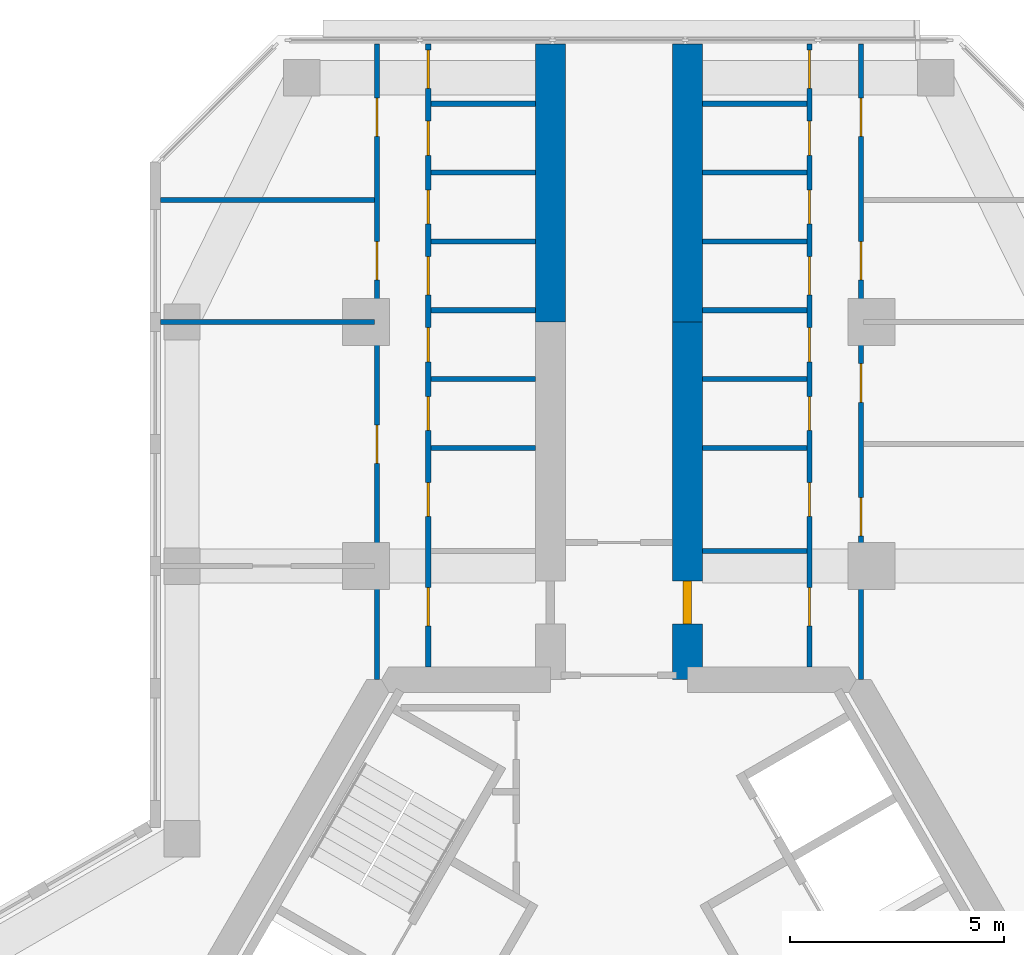
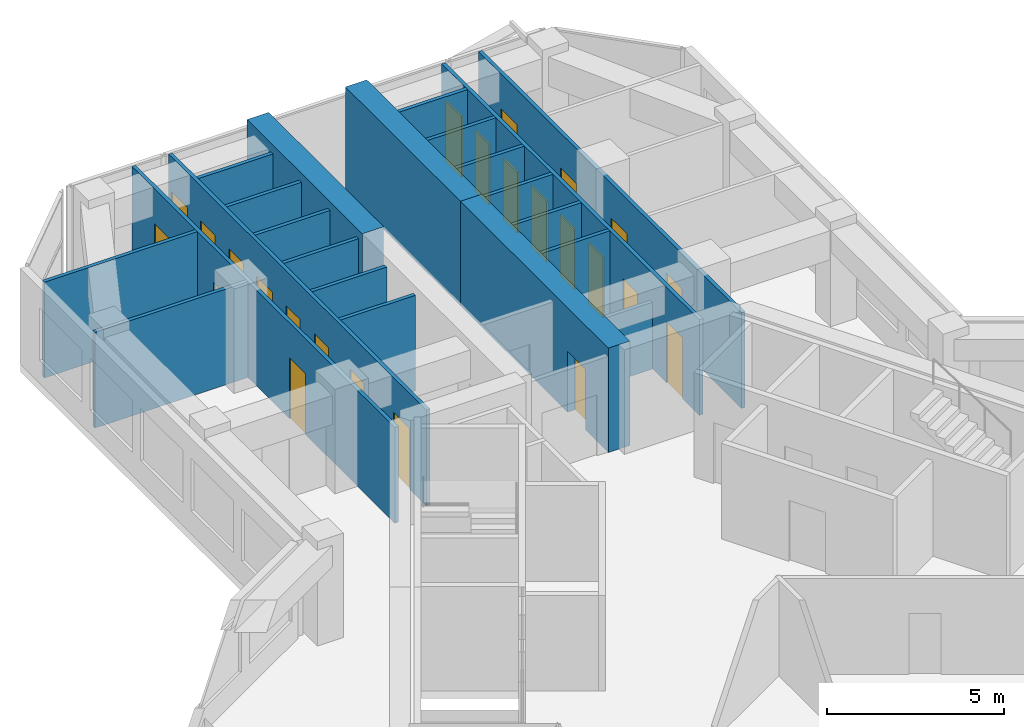
# One storey, part 14 of 16: 24 doors, 22 walls, 24 openings.
"""IFC4 building model written with IfcOpenShell, lengths in metres."""

from ifc_helpers import new_model, si_unit, direction, frame, frame_2d, origin, place, context, subcontext, project, spatial, rectangle, extrude, material, layer, layer_set, type_object, element, fill, save


model = new_model("IFC4")

# Units and contexts
model_context = context("Model", 3, precision=1e-05, world=origin(), true_north=direction((0.0, 1.0)))
body_context = subcontext(model_context, "Body", "Model", "MODEL_VIEW")
ifc_project = project(units=[si_unit("LENGTHUNIT", "METRE"), si_unit("AREAUNIT", "SQUARE_METRE"), si_unit("VOLUMEUNIT", "CUBIC_METRE"), si_unit("PLANEANGLEUNIT", "RADIAN"), si_unit("MASSUNIT", "GRAM", prefix="KILO")], contexts=[model_context])

# Site, building, storey
site_placement = place(None, origin())
site = spatial("IfcSite", under=ifc_project, at=site_placement, CompositionType="ELEMENT")
building_placement = place(site_placement, origin())
building = spatial("IfcBuilding", under=site, at=building_placement, Name="Kosmar Iwan School Tower", CompositionType="ELEMENT")
storey_placement = place(building_placement, frame((0.0, 0.0, 256.800048828125)))
storey = spatial("IfcBuildingStorey", under=building, at=storey_placement, Name="L65", CompositionType="ELEMENT", Elevation=256.800048828125)

# Wall
ifc_material_1 = material(Name="Concrete C50/60", Category="concrete")
ifc_layer_1 = layer(ifc_material_1, 0.699951171875)
ifc_layer_set_1 = layer_set([ifc_layer_1], Name="Corridor buttress wall 700")
wall_type_1 = type_object("IfcWallType", Name="Corridor buttress wall 700", PredefinedType="SHEAR", material=ifc_layer_set_1)
wall_1_placement = place(storey_placement, frame((-1.60009765625, 17.949951171875, 0.0), z_axis=(0.0, 0.0, 1.0), x_axis=(0.0, 1.0, 0.0)))
element("IfcWall", 1, at=wall_1_placement, inside=storey, type_object=wall_type_1, Name="Corridor wall AL bay 2", PredefinedType="SHEAR", context=body_context, shape_type="SweptSolid", body=[
    extrude(rectangle(XDim=6.4951171875, YDim=0.699951171875, at=frame_2d((3.24755859375, 0.0))), origin(), (0.0, 0.0, 1.0), 3.599853515625),
])

# Wall, opening, door
wall_2_placement = place(storey_placement, frame((1.60009765625, 9.60009765625, 0.0), z_axis=(0.0, 0.0, 1.0), x_axis=(0.0, 1.0, 0.0)))
wall_2 = element("IfcWall", 2, at=wall_2_placement, inside=storey, type_object=wall_type_1, Name="Corridor wall AR", PredefinedType="SHEAR", context=body_context, shape_type="SweptSolid", body=[
    extrude(rectangle(XDim=8.349853515625, YDim=0.699951171875, at=frame_2d((4.1748046875, 0.0))), origin(), (0.0, 0.0, 1.0), 3.599853515625),
])
opening_1_placement = place(wall_2_placement, frame((1.300048828125, 0.0, 0.0)))
opening_1 = element("IfcOpeningElement", 3, at=opening_1_placement, cuts=wall_2, Name="Opening D1", PredefinedType="OPENING", context=body_context, shape_type="SweptSolid", body=[
    extrude(rectangle(XDim=1.0, YDim=2.10009765625, at=frame_2d((0.5, 1.050048828125))), frame((0.0, 0.362060546875, 0.0), z_axis=(0.0, -1.0, 0.0), x_axis=(1.0, 0.0, 0.0)), (0.0, 0.0, 1.0), 0.723876953125),
])
ifc_material_2 = material(Name="Timber fire door in steel frame", Category="steel")
door_type_1 = type_object("IfcDoorType", Name="Flat entrance door 1000x2100", OperationType="SINGLE_SWING_LEFT", PredefinedType="DOOR", material=ifc_material_2)
door_1_placement = place(opening_1_placement, origin())
door_1 = element("IfcDoor", 4, at=door_1_placement, inside=storey, type_object=door_type_1, Name="Flat L65-AR1 entrance door", OperationType="SINGLE_SWING_RIGHT", OverallHeight=2.10009765625, OverallWidth=1.0, PredefinedType="DOOR", context=body_context, shape_type="SweptSolid", body=[
    extrude(rectangle(XDim=1.0, YDim=2.10009765625, at=frame_2d((0.5, 1.050048828125))), frame((0.0, 0.10009765625, 0.0), z_axis=(0.0, -1.0, 0.0), x_axis=(1.0, 0.0, 0.0)), (0.0, 0.0, 1.0), 0.199951171875),
])
fill(opening_1, door_1)

# Wall
wall_3_placement = place(storey_placement, frame((1.60009765625, 17.949951171875, 0.0), z_axis=(0.0, 0.0, 1.0), x_axis=(0.0, 1.0, 0.0)))
element("IfcWall", 5, at=wall_3_placement, inside=storey, type_object=wall_type_1, Name="Corridor wall AR bay 2", PredefinedType="SHEAR", context=body_context, shape_type="SweptSolid", body=[
    extrude(rectangle(XDim=6.4951171875, YDim=0.699951171875, at=frame_2d((3.24755859375, 0.0))), origin(), (0.0, 0.0, 1.0), 3.599853515625),
])

# Wall, openings, doors
ifc_material_3 = material(Name="Gypsum board on steel studs", Category="steel")
ifc_layer_2 = layer(ifc_material_3, 0.1201171875)
ifc_layer_set_2 = layer_set([ifc_layer_2], Name="Dwelling partition 120")
wall_type_2 = type_object("IfcWallType", Name="Dwelling partition 120", PredefinedType="PARTITIONING", material=ifc_layer_set_2)
wall_4_placement = place(storey_placement, frame((-4.449951171875, 9.89990234375, 0.0), z_axis=(0.0, 0.0, 1.0), x_axis=(0.0, 1.0, 0.0)))
wall_4 = element("IfcWall", 6, at=wall_4_placement, inside=storey, type_object=wall_type_2, Name="Partition L65-AL1-W1", PredefinedType="PARTITIONING", context=body_context, shape_type="SweptSolid", body=[
    extrude(rectangle(XDim=14.545166015625, YDim=0.1201171875, at=frame_2d((7.2724609375, 0.0))), origin(), (0.0, 0.0, 1.0), 3.300048828125),
])
opening_2_placement = place(wall_4_placement, frame((0.949951171875, 0.0, 0.0)))
opening_2 = element("IfcOpeningElement", 7, at=opening_2_placement, cuts=wall_4, Name="Opening D2", PredefinedType="OPENING", context=body_context, shape_type="SweptSolid", body=[
    extrude(rectangle(XDim=0.89990234375, YDim=2.10009765625, at=frame_2d((0.449951171875, 1.050048828125))), frame((0.0, 0.072021484375, 0.0), z_axis=(0.0, -1.0, 0.0), x_axis=(1.0, 0.0, 0.0)), (0.0, 0.0, 1.0), 0.14404296875),
])
opening_3_placement = place(wall_4_placement, frame((3.505126953125, 0.0, 0.0)))
opening_3 = element("IfcOpeningElement", 8, at=opening_3_placement, cuts=wall_4, Name="Opening D3", PredefinedType="OPENING", context=body_context, shape_type="SweptSolid", body=[
    extrude(rectangle(XDim=0.800048828125, YDim=2.10009765625, at=frame_2d((0.39990234375, 1.050048828125))), frame((0.0, 0.072021484375, 0.0), z_axis=(0.0, -1.0, 0.0), x_axis=(1.0, 0.0, 0.0)), (0.0, 0.0, 1.0), 0.14404296875),
])
opening_4_placement = place(wall_4_placement, frame((5.513427734375, 0.0, 0.0)))
opening_4 = element("IfcOpeningElement", 9, at=opening_4_placement, cuts=wall_4, Name="Opening D3", PredefinedType="OPENING", context=body_context, shape_type="SweptSolid", body=[
    extrude(rectangle(XDim=0.800048828125, YDim=2.10009765625, at=frame_2d((0.39990234375, 1.050048828125))), frame((0.0, 0.072021484375, 0.0), z_axis=(0.0, -1.0, 0.0), x_axis=(1.0, 0.0, 0.0)), (0.0, 0.0, 1.0), 0.14404296875),
])
opening_5_placement = place(wall_4_placement, frame((7.1201171875, 0.0, 0.0)))
opening_5 = element("IfcOpeningElement", 10, at=opening_5_placement, cuts=wall_4, Name="Opening D3", PredefinedType="OPENING", context=body_context, shape_type="SweptSolid", body=[
    extrude(rectangle(XDim=0.800048828125, YDim=2.10009765625, at=frame_2d((0.39990234375, 1.050048828125))), frame((0.0, 0.072021484375, 0.0), z_axis=(0.0, -1.0, 0.0), x_axis=(1.0, 0.0, 0.0)), (0.0, 0.0, 1.0), 0.14404296875),
])
opening_6_placement = place(wall_4_placement, frame((8.6767578125, 0.0, 0.0)))
opening_6 = element("IfcOpeningElement", 11, at=opening_6_placement, cuts=wall_4, Name="Opening D2", PredefinedType="OPENING", context=body_context, shape_type="SweptSolid", body=[
    extrude(rectangle(XDim=0.89990234375, YDim=2.10009765625, at=frame_2d((0.449951171875, 1.050048828125))), frame((0.0, 0.072021484375, 0.0), z_axis=(0.0, -1.0, 0.0), x_axis=(1.0, 0.0, 0.0)), (0.0, 0.0, 1.0), 0.14404296875),
])
opening_7_placement = place(wall_4_placement, frame((10.333251953125, 0.0, 0.0)))
opening_7 = element("IfcOpeningElement", 12, at=opening_7_placement, cuts=wall_4, Name="Opening D3", PredefinedType="OPENING", context=body_context, shape_type="SweptSolid", body=[
    extrude(rectangle(XDim=0.800048828125, YDim=2.10009765625, at=frame_2d((0.39990234375, 1.050048828125))), frame((0.0, 0.072021484375, 0.0), z_axis=(0.0, -1.0, 0.0), x_axis=(1.0, 0.0, 0.0)), (0.0, 0.0, 1.0), 0.14404296875),
])
opening_8_placement = place(wall_4_placement, frame((11.93994140625, 0.0, 0.0)))
opening_8 = element("IfcOpeningElement", 13, at=opening_8_placement, cuts=wall_4, Name="Opening D3", PredefinedType="OPENING", context=body_context, shape_type="SweptSolid", body=[
    extrude(rectangle(XDim=0.800048828125, YDim=2.10009765625, at=frame_2d((0.39990234375, 1.050048828125))), frame((0.0, 0.072021484375, 0.0), z_axis=(0.0, -1.0, 0.0), x_axis=(1.0, 0.0, 0.0)), (0.0, 0.0, 1.0), 0.14404296875),
])
opening_9_placement = place(wall_4_placement, frame((13.49658203125, 0.0, 0.0)))
opening_9 = element("IfcOpeningElement", 14, at=opening_9_placement, cuts=wall_4, Name="Opening D2", PredefinedType="OPENING", context=body_context, shape_type="SweptSolid", body=[
    extrude(rectangle(XDim=0.89990234375, YDim=2.10009765625, at=frame_2d((0.449951171875, 1.050048828125))), frame((0.0, 0.072021484375, 0.0), z_axis=(0.0, -1.0, 0.0), x_axis=(1.0, 0.0, 0.0)), (0.0, 0.0, 1.0), 0.14404296875),
])
ifc_material_4 = material(Name="Timber door in timber frame", Category="wood")
door_type_2 = type_object("IfcDoorType", Name="Internal door 900x2100", OperationType="SINGLE_SWING_LEFT", PredefinedType="DOOR", material=ifc_material_4)
door_2_placement = place(opening_2_placement, origin())
door_2 = element("IfcDoor", 15, at=door_2_placement, inside=storey, type_object=door_type_2, Name="Entrance hall door L65-AL1-S1", OperationType="SINGLE_SWING_LEFT", OverallHeight=2.10009765625, OverallWidth=0.89990234375, PredefinedType="DOOR", context=body_context, shape_type="SweptSolid", body=[
    extrude(rectangle(XDim=0.89990234375, YDim=2.10009765625, at=frame_2d((0.449951171875, 1.050048828125))), frame((0.0, 0.02490234375, 0.0), z_axis=(0.0, -1.0, 0.0), x_axis=(1.0, 0.0, 0.0)), (0.0, 0.0, 1.0), 0.050048828125),
])
fill(opening_2, door_2)
door_3_placement = place(opening_6_placement, origin())
door_3 = element("IfcDoor", 16, at=door_3_placement, inside=storey, type_object=door_type_2, Name="Pantry door L65-AL1-S5", OperationType="SINGLE_SWING_RIGHT", OverallHeight=2.10009765625, OverallWidth=0.89990234375, PredefinedType="DOOR", context=body_context, shape_type="SweptSolid", body=[
    extrude(rectangle(XDim=0.89990234375, YDim=2.10009765625, at=frame_2d((0.449951171875, 1.050048828125))), frame((0.0, 0.02490234375, 0.0), z_axis=(0.0, -1.0, 0.0), x_axis=(1.0, 0.0, 0.0)), (0.0, 0.0, 1.0), 0.050048828125),
])
fill(opening_6, door_3)
door_4_placement = place(opening_9_placement, origin())
door_4 = element("IfcDoor", 17, at=door_4_placement, inside=storey, type_object=door_type_2, Name="Utility room door L65-AL1-S8", OperationType="SINGLE_SWING_RIGHT", OverallHeight=2.10009765625, OverallWidth=0.89990234375, PredefinedType="DOOR", context=body_context, shape_type="SweptSolid", body=[
    extrude(rectangle(XDim=0.89990234375, YDim=2.10009765625, at=frame_2d((0.449951171875, 1.050048828125))), frame((0.0, 0.02490234375, 0.0), z_axis=(0.0, -1.0, 0.0), x_axis=(1.0, 0.0, 0.0)), (0.0, 0.0, 1.0), 0.050048828125),
])
fill(opening_9, door_4)
ifc_material_5 = material(Name="Timber door in timber frame", Category="wood")
door_type_3 = type_object("IfcDoorType", Name="Sanitary room door 800x2100", OperationType="SINGLE_SWING_LEFT", PredefinedType="DOOR", material=ifc_material_5)
door_5_placement = place(opening_3_placement, origin())
door_5 = element("IfcDoor", 18, at=door_5_placement, inside=storey, type_object=door_type_3, Name="Bathroom door L65-AL1-S2", OperationType="SINGLE_SWING_LEFT", OverallHeight=2.10009765625, OverallWidth=0.800048828125, PredefinedType="DOOR", context=body_context, shape_type="SweptSolid", body=[
    extrude(rectangle(XDim=0.800048828125, YDim=2.10009765625, at=frame_2d((0.39990234375, 1.050048828125))), frame((0.0, 0.02490234375, 0.0), z_axis=(0.0, -1.0, 0.0), x_axis=(1.0, 0.0, 0.0)), (0.0, 0.0, 1.0), 0.050048828125),
])
fill(opening_3, door_5)
door_6_placement = place(opening_4_placement, origin())
door_6 = element("IfcDoor", 19, at=door_6_placement, inside=storey, type_object=door_type_3, Name="Grandparents' shower room door L65-AL1-S3", OperationType="SINGLE_SWING_LEFT", OverallHeight=2.10009765625, OverallWidth=0.800048828125, PredefinedType="DOOR", context=body_context, shape_type="SweptSolid", body=[
    extrude(rectangle(XDim=0.800048828125, YDim=2.10009765625, at=frame_2d((0.39990234375, 1.050048828125))), frame((0.0, 0.02490234375, 0.0), z_axis=(0.0, -1.0, 0.0), x_axis=(1.0, 0.0, 0.0)), (0.0, 0.0, 1.0), 0.050048828125),
])
fill(opening_4, door_6)
door_7_placement = place(opening_5_placement, origin())
door_7 = element("IfcDoor", 20, at=door_7_placement, inside=storey, type_object=door_type_3, Name="Shower room door L65-AL1-S4", OperationType="SINGLE_SWING_RIGHT", OverallHeight=2.10009765625, OverallWidth=0.800048828125, PredefinedType="DOOR", context=body_context, shape_type="SweptSolid", body=[
    extrude(rectangle(XDim=0.800048828125, YDim=2.10009765625, at=frame_2d((0.39990234375, 1.050048828125))), frame((0.0, 0.02490234375, 0.0), z_axis=(0.0, -1.0, 0.0), x_axis=(1.0, 0.0, 0.0)), (0.0, 0.0, 1.0), 0.050048828125),
])
fill(opening_5, door_7)
door_8_placement = place(opening_7_placement, origin())
door_8 = element("IfcDoor", 21, at=door_8_placement, inside=storey, type_object=door_type_3, Name="WC door L65-AL1-S6", OperationType="SINGLE_SWING_RIGHT", OverallHeight=2.10009765625, OverallWidth=0.800048828125, PredefinedType="DOOR", context=body_context, shape_type="SweptSolid", body=[
    extrude(rectangle(XDim=0.800048828125, YDim=2.10009765625, at=frame_2d((0.39990234375, 1.050048828125))), frame((0.0, 0.02490234375, 0.0), z_axis=(0.0, -1.0, 0.0), x_axis=(1.0, 0.0, 0.0)), (0.0, 0.0, 1.0), 0.050048828125),
])
fill(opening_7, door_8)
door_9_placement = place(opening_8_placement, origin())
door_9 = element("IfcDoor", 22, at=door_9_placement, inside=storey, type_object=door_type_3, Name="Store door L65-AL1-S7", OperationType="SINGLE_SWING_RIGHT", OverallHeight=2.10009765625, OverallWidth=0.800048828125, PredefinedType="DOOR", context=body_context, shape_type="SweptSolid", body=[
    extrude(rectangle(XDim=0.800048828125, YDim=2.10009765625, at=frame_2d((0.39990234375, 1.050048828125))), frame((0.0, 0.02490234375, 0.0), z_axis=(0.0, -1.0, 0.0), x_axis=(1.0, 0.0, 0.0)), (0.0, 0.0, 1.0), 0.050048828125),
])
fill(opening_8, door_9)

wall_5_placement = place(storey_placement, frame((-5.64990234375, 9.60009765625, 0.0), z_axis=(0.0, 0.0, 1.0), x_axis=(0.0, 1.0, 0.0)))
wall_5 = element("IfcWall", 23, at=wall_5_placement, inside=storey, type_object=wall_type_2, Name="Partition L65-AL1-W2", PredefinedType="PARTITIONING", context=body_context, shape_type="SweptSolid", body=[
    extrude(rectangle(XDim=14.844970703125, YDim=0.1201171875, at=frame_2d((7.42236328125, 0.0))), origin(), (0.0, 0.0, 1.0), 3.300048828125),
])
opening_10_placement = place(wall_5_placement, frame((5.050048828125, 0.0, 0.0)))
opening_10 = element("IfcOpeningElement", 24, at=opening_10_placement, cuts=wall_5, Name="Opening D2", PredefinedType="OPENING", context=body_context, shape_type="SweptSolid", body=[
    extrude(rectangle(XDim=0.89990234375, YDim=2.10009765625, at=frame_2d((0.449951171875, 1.050048828125))), frame((0.0, 0.072021484375, 0.0), z_axis=(0.0, -1.0, 0.0), x_axis=(1.0, 0.0, 0.0)), (0.0, 0.0, 1.0), 0.14404296875),
])
opening_11_placement = place(wall_5_placement, frame((9.324951171875, 0.0, 0.0)))
opening_11 = element("IfcOpeningElement", 25, at=opening_11_placement, cuts=wall_5, Name="Opening D2", PredefinedType="OPENING", context=body_context, shape_type="SweptSolid", body=[
    extrude(rectangle(XDim=0.89990234375, YDim=2.10009765625, at=frame_2d((0.449951171875, 1.050048828125))), frame((0.0, 0.072021484375, 0.0), z_axis=(0.0, -1.0, 0.0), x_axis=(1.0, 0.0, 0.0)), (0.0, 0.0, 1.0), 0.14404296875),
])
opening_12_placement = place(wall_5_placement, frame((12.675048828125, 0.0, 0.0)))
opening_12 = element("IfcOpeningElement", 26, at=opening_12_placement, cuts=wall_5, Name="Opening D2", PredefinedType="OPENING", context=body_context, shape_type="SweptSolid", body=[
    extrude(rectangle(XDim=0.89990234375, YDim=2.10009765625, at=frame_2d((0.449951171875, 1.050048828125))), frame((0.0, 0.072021484375, 0.0), z_axis=(0.0, -1.0, 0.0), x_axis=(1.0, 0.0, 0.0)), (0.0, 0.0, 1.0), 0.14404296875),
])
door_10_placement = place(opening_10_placement, origin())
door_10 = element("IfcDoor", 27, at=door_10_placement, inside=storey, type_object=door_type_2, Name="Living room door L65-AL1-F2", OperationType="SINGLE_SWING_LEFT", OverallHeight=2.10009765625, OverallWidth=0.89990234375, PredefinedType="DOOR", context=body_context, shape_type="SweptSolid", body=[
    extrude(rectangle(XDim=0.89990234375, YDim=2.10009765625, at=frame_2d((0.449951171875, 1.050048828125))), frame((0.0, 0.02490234375, 0.0), z_axis=(0.0, -1.0, 0.0), x_axis=(1.0, 0.0, 0.0)), (0.0, 0.0, 1.0), 0.050048828125),
])
fill(opening_10, door_10)
door_11_placement = place(opening_11_placement, origin())
door_11 = element("IfcDoor", 28, at=door_11_placement, inside=storey, type_object=door_type_2, Name="Grandparents' suite door L65-AL1-F3", OperationType="SINGLE_SWING_RIGHT", OverallHeight=2.10009765625, OverallWidth=0.89990234375, PredefinedType="DOOR", context=body_context, shape_type="SweptSolid", body=[
    extrude(rectangle(XDim=0.89990234375, YDim=2.10009765625, at=frame_2d((0.449951171875, 1.050048828125))), frame((0.0, 0.02490234375, 0.0), z_axis=(0.0, -1.0, 0.0), x_axis=(1.0, 0.0, 0.0)), (0.0, 0.0, 1.0), 0.050048828125),
])
fill(opening_11, door_11)
door_12_placement = place(opening_12_placement, origin())
door_12 = element("IfcDoor", 29, at=door_12_placement, inside=storey, type_object=door_type_2, Name="Bedroom 1 door L65-AL1-F4", OperationType="SINGLE_SWING_RIGHT", OverallHeight=2.10009765625, OverallWidth=0.89990234375, PredefinedType="DOOR", context=body_context, shape_type="SweptSolid", body=[
    extrude(rectangle(XDim=0.89990234375, YDim=2.10009765625, at=frame_2d((0.449951171875, 1.050048828125))), frame((0.0, 0.02490234375, 0.0), z_axis=(0.0, -1.0, 0.0), x_axis=(1.0, 0.0, 0.0)), (0.0, 0.0, 1.0), 0.050048828125),
])
fill(opening_12, door_12)

# Walls
for number, where, z_axis, x_axis, name in (
    (30, (-5.7099609375, 17.949951171875, 0.0), (0.0, 0.0, 1.0), (-1.0, 0.0, 0.0), "Partition L65-AL1-X2"),
    (31, (-5.7099609375, 20.800048828125, 0.0), (0.0, 0.0, 1.0), (-1.0, 0.0, 0.0), "Partition L65-AL1-X3"),
):
    element("IfcWall", number, at=place(storey_placement, frame(where, z_axis=z_axis, x_axis=x_axis)), inside=storey, type_object=wall_type_2, Name=name, PredefinedType="PARTITIONING", context=body_context, shape_type="SweptSolid", body=[
        extrude(rectangle(XDim=4.989990234375, YDim=0.1201171875, at=frame_2d((2.4951171875, 0.0))), origin(), (0.0, 0.0, 1.0), 3.300048828125),
    ])
for number, where, z_axis, x_axis, name in (
    (32, (-1.949951171875, 15.010009765625, 0.0), (0.0, 0.0, 1.0), (-1.0, 0.0, 0.0), "Partition L65-AL1-Y2"),
    (33, (-1.949951171875, 16.61669921875, 0.0), (0.0, 0.0, 1.0), (-1.0, 0.0, 0.0), "Partition L65-AL1-Y3"),
    (34, (-1.949951171875, 18.223388671875, 0.0), (0.0, 0.0, 1.0), (-1.0, 0.0, 0.0), "Partition L65-AL1-Y4"),
    (35, (-1.949951171875, 19.830078125, 0.0), (0.0, 0.0, 1.0), (-1.0, 0.0, 0.0), "Partition L65-AL1-Y5"),
    (36, (-1.949951171875, 21.436767578125, 0.0), (0.0, 0.0, 1.0), (-1.0, 0.0, 0.0), "Partition L65-AL1-Y6"),
    (37, (-1.949951171875, 23.043212890625, 0.0), (0.0, 0.0, 1.0), (-1.0, 0.0, 0.0), "Partition L65-AL1-Y7"),
):
    element("IfcWall", number, at=place(storey_placement, frame(where, z_axis=z_axis, x_axis=x_axis)), inside=storey, type_object=wall_type_2, Name=name, PredefinedType="PARTITIONING", context=body_context, shape_type="SweptSolid", body=[
        extrude(rectangle(XDim=2.43994140625, YDim=0.1201171875, at=frame_2d((1.219970703125, 0.0))), origin(), (0.0, 0.0, 1.0), 3.300048828125),
    ])

# Wall, openings, doors
wall_6_placement = place(storey_placement, frame((4.449951171875, 9.89990234375, 0.0), z_axis=(0.0, 0.0, 1.0), x_axis=(0.0, 1.0, 0.0)))
wall_6 = element("IfcWall", 38, at=wall_6_placement, inside=storey, type_object=wall_type_2, Name="Partition L65-AR1-W1", PredefinedType="PARTITIONING", context=body_context, shape_type="SweptSolid", body=[
    extrude(rectangle(XDim=14.545166015625, YDim=0.1201171875, at=frame_2d((7.2724609375, 0.0))), origin(), (0.0, 0.0, 1.0), 3.300048828125),
])
opening_13_placement = place(wall_6_placement, frame((0.949951171875, 0.0, 0.0)))
opening_13 = element("IfcOpeningElement", 39, at=opening_13_placement, cuts=wall_6, Name="Opening D2", PredefinedType="OPENING", context=body_context, shape_type="SweptSolid", body=[
    extrude(rectangle(XDim=0.89990234375, YDim=2.10009765625, at=frame_2d((0.449951171875, 1.050048828125))), frame((0.0, 0.072021484375, 0.0), z_axis=(0.0, -1.0, 0.0), x_axis=(1.0, 0.0, 0.0)), (0.0, 0.0, 1.0), 0.14404296875),
])
opening_14_placement = place(wall_6_placement, frame((3.505126953125, 0.0, 0.0)))
opening_14 = element("IfcOpeningElement", 40, at=opening_14_placement, cuts=wall_6, Name="Opening D3", PredefinedType="OPENING", context=body_context, shape_type="SweptSolid", body=[
    extrude(rectangle(XDim=0.800048828125, YDim=2.10009765625, at=frame_2d((0.39990234375, 1.050048828125))), frame((0.0, 0.072021484375, 0.0), z_axis=(0.0, -1.0, 0.0), x_axis=(1.0, 0.0, 0.0)), (0.0, 0.0, 1.0), 0.14404296875),
])
opening_15_placement = place(wall_6_placement, frame((5.513427734375, 0.0, 0.0)))
opening_15 = element("IfcOpeningElement", 41, at=opening_15_placement, cuts=wall_6, Name="Opening D3", PredefinedType="OPENING", context=body_context, shape_type="SweptSolid", body=[
    extrude(rectangle(XDim=0.800048828125, YDim=2.10009765625, at=frame_2d((0.39990234375, 1.050048828125))), frame((0.0, 0.072021484375, 0.0), z_axis=(0.0, -1.0, 0.0), x_axis=(1.0, 0.0, 0.0)), (0.0, 0.0, 1.0), 0.14404296875),
])
opening_16_placement = place(wall_6_placement, frame((7.1201171875, 0.0, 0.0)))
opening_16 = element("IfcOpeningElement", 42, at=opening_16_placement, cuts=wall_6, Name="Opening D3", PredefinedType="OPENING", context=body_context, shape_type="SweptSolid", body=[
    extrude(rectangle(XDim=0.800048828125, YDim=2.10009765625, at=frame_2d((0.39990234375, 1.050048828125))), frame((0.0, 0.072021484375, 0.0), z_axis=(0.0, -1.0, 0.0), x_axis=(1.0, 0.0, 0.0)), (0.0, 0.0, 1.0), 0.14404296875),
])
opening_17_placement = place(wall_6_placement, frame((8.6767578125, 0.0, 0.0)))
opening_17 = element("IfcOpeningElement", 43, at=opening_17_placement, cuts=wall_6, Name="Opening D2", PredefinedType="OPENING", context=body_context, shape_type="SweptSolid", body=[
    extrude(rectangle(XDim=0.89990234375, YDim=2.10009765625, at=frame_2d((0.449951171875, 1.050048828125))), frame((0.0, 0.072021484375, 0.0), z_axis=(0.0, -1.0, 0.0), x_axis=(1.0, 0.0, 0.0)), (0.0, 0.0, 1.0), 0.14404296875),
])
opening_18_placement = place(wall_6_placement, frame((10.333251953125, 0.0, 0.0)))
opening_18 = element("IfcOpeningElement", 44, at=opening_18_placement, cuts=wall_6, Name="Opening D3", PredefinedType="OPENING", context=body_context, shape_type="SweptSolid", body=[
    extrude(rectangle(XDim=0.800048828125, YDim=2.10009765625, at=frame_2d((0.39990234375, 1.050048828125))), frame((0.0, 0.072021484375, 0.0), z_axis=(0.0, -1.0, 0.0), x_axis=(1.0, 0.0, 0.0)), (0.0, 0.0, 1.0), 0.14404296875),
])
opening_19_placement = place(wall_6_placement, frame((11.93994140625, 0.0, 0.0)))
opening_19 = element("IfcOpeningElement", 45, at=opening_19_placement, cuts=wall_6, Name="Opening D3", PredefinedType="OPENING", context=body_context, shape_type="SweptSolid", body=[
    extrude(rectangle(XDim=0.800048828125, YDim=2.10009765625, at=frame_2d((0.39990234375, 1.050048828125))), frame((0.0, 0.072021484375, 0.0), z_axis=(0.0, -1.0, 0.0), x_axis=(1.0, 0.0, 0.0)), (0.0, 0.0, 1.0), 0.14404296875),
])
opening_20_placement = place(wall_6_placement, frame((13.49658203125, 0.0, 0.0)))
opening_20 = element("IfcOpeningElement", 46, at=opening_20_placement, cuts=wall_6, Name="Opening D2", PredefinedType="OPENING", context=body_context, shape_type="SweptSolid", body=[
    extrude(rectangle(XDim=0.89990234375, YDim=2.10009765625, at=frame_2d((0.449951171875, 1.050048828125))), frame((0.0, 0.072021484375, 0.0), z_axis=(0.0, -1.0, 0.0), x_axis=(1.0, 0.0, 0.0)), (0.0, 0.0, 1.0), 0.14404296875),
])
door_13_placement = place(opening_13_placement, origin())
door_13 = element("IfcDoor", 47, at=door_13_placement, inside=storey, type_object=door_type_2, Name="Entrance hall door L65-AR1-S1", OperationType="SINGLE_SWING_RIGHT", OverallHeight=2.10009765625, OverallWidth=0.89990234375, PredefinedType="DOOR", context=body_context, shape_type="SweptSolid", body=[
    extrude(rectangle(XDim=0.89990234375, YDim=2.10009765625, at=frame_2d((0.449951171875, 1.050048828125))), frame((0.0, 0.02490234375, 0.0), z_axis=(0.0, -1.0, 0.0), x_axis=(1.0, 0.0, 0.0)), (0.0, 0.0, 1.0), 0.050048828125),
])
fill(opening_13, door_13)
door_14_placement = place(opening_17_placement, origin())
door_14 = element("IfcDoor", 48, at=door_14_placement, inside=storey, type_object=door_type_2, Name="Pantry door L65-AR1-S5", OperationType="SINGLE_SWING_RIGHT", OverallHeight=2.10009765625, OverallWidth=0.89990234375, PredefinedType="DOOR", context=body_context, shape_type="SweptSolid", body=[
    extrude(rectangle(XDim=0.89990234375, YDim=2.10009765625, at=frame_2d((0.449951171875, 1.050048828125))), frame((0.0, 0.02490234375, 0.0), z_axis=(0.0, -1.0, 0.0), x_axis=(1.0, 0.0, 0.0)), (0.0, 0.0, 1.0), 0.050048828125),
])
fill(opening_17, door_14)
door_15_placement = place(opening_20_placement, origin())
door_15 = element("IfcDoor", 49, at=door_15_placement, inside=storey, type_object=door_type_2, Name="Utility room door L65-AR1-S8", OperationType="SINGLE_SWING_RIGHT", OverallHeight=2.10009765625, OverallWidth=0.89990234375, PredefinedType="DOOR", context=body_context, shape_type="SweptSolid", body=[
    extrude(rectangle(XDim=0.89990234375, YDim=2.10009765625, at=frame_2d((0.449951171875, 1.050048828125))), frame((0.0, 0.02490234375, 0.0), z_axis=(0.0, -1.0, 0.0), x_axis=(1.0, 0.0, 0.0)), (0.0, 0.0, 1.0), 0.050048828125),
])
fill(opening_20, door_15)
door_16_placement = place(opening_14_placement, origin())
door_16 = element("IfcDoor", 50, at=door_16_placement, inside=storey, type_object=door_type_3, Name="Bathroom door L65-AR1-S2", OperationType="SINGLE_SWING_LEFT", OverallHeight=2.10009765625, OverallWidth=0.800048828125, PredefinedType="DOOR", context=body_context, shape_type="SweptSolid", body=[
    extrude(rectangle(XDim=0.800048828125, YDim=2.10009765625, at=frame_2d((0.39990234375, 1.050048828125))), frame((0.0, 0.02490234375, 0.0), z_axis=(0.0, -1.0, 0.0), x_axis=(1.0, 0.0, 0.0)), (0.0, 0.0, 1.0), 0.050048828125),
])
fill(opening_14, door_16)
door_17_placement = place(opening_15_placement, origin())
door_17 = element("IfcDoor", 51, at=door_17_placement, inside=storey, type_object=door_type_3, Name="Grandparents' shower room door L65-AR1-S3", OperationType="SINGLE_SWING_RIGHT", OverallHeight=2.10009765625, OverallWidth=0.800048828125, PredefinedType="DOOR", context=body_context, shape_type="SweptSolid", body=[
    extrude(rectangle(XDim=0.800048828125, YDim=2.10009765625, at=frame_2d((0.39990234375, 1.050048828125))), frame((0.0, 0.02490234375, 0.0), z_axis=(0.0, -1.0, 0.0), x_axis=(1.0, 0.0, 0.0)), (0.0, 0.0, 1.0), 0.050048828125),
])
fill(opening_15, door_17)
door_18_placement = place(opening_16_placement, origin())
door_18 = element("IfcDoor", 52, at=door_18_placement, inside=storey, type_object=door_type_3, Name="Shower room door L65-AR1-S4", OperationType="SINGLE_SWING_LEFT", OverallHeight=2.10009765625, OverallWidth=0.800048828125, PredefinedType="DOOR", context=body_context, shape_type="SweptSolid", body=[
    extrude(rectangle(XDim=0.800048828125, YDim=2.10009765625, at=frame_2d((0.39990234375, 1.050048828125))), frame((0.0, 0.02490234375, 0.0), z_axis=(0.0, -1.0, 0.0), x_axis=(1.0, 0.0, 0.0)), (0.0, 0.0, 1.0), 0.050048828125),
])
fill(opening_16, door_18)
door_19_placement = place(opening_18_placement, origin())
door_19 = element("IfcDoor", 53, at=door_19_placement, inside=storey, type_object=door_type_3, Name="WC door L65-AR1-S6", OperationType="SINGLE_SWING_LEFT", OverallHeight=2.10009765625, OverallWidth=0.800048828125, PredefinedType="DOOR", context=body_context, shape_type="SweptSolid", body=[
    extrude(rectangle(XDim=0.800048828125, YDim=2.10009765625, at=frame_2d((0.39990234375, 1.050048828125))), frame((0.0, 0.02490234375, 0.0), z_axis=(0.0, -1.0, 0.0), x_axis=(1.0, 0.0, 0.0)), (0.0, 0.0, 1.0), 0.050048828125),
])
fill(opening_18, door_19)
door_20_placement = place(opening_19_placement, origin())
door_20 = element("IfcDoor", 54, at=door_20_placement, inside=storey, type_object=door_type_3, Name="Store door L65-AR1-S7", OperationType="SINGLE_SWING_RIGHT", OverallHeight=2.10009765625, OverallWidth=0.800048828125, PredefinedType="DOOR", context=body_context, shape_type="SweptSolid", body=[
    extrude(rectangle(XDim=0.800048828125, YDim=2.10009765625, at=frame_2d((0.39990234375, 1.050048828125))), frame((0.0, 0.02490234375, 0.0), z_axis=(0.0, -1.0, 0.0), x_axis=(1.0, 0.0, 0.0)), (0.0, 0.0, 1.0), 0.050048828125),
])
fill(opening_19, door_20)

wall_7_placement = place(storey_placement, frame((5.64990234375, 9.60009765625, 0.0), z_axis=(0.0, 0.0, 1.0), x_axis=(0.0, 1.0, 0.0)))
wall_7 = element("IfcWall", 55, at=wall_7_placement, inside=storey, type_object=wall_type_2, Name="Partition L65-AR1-W2", PredefinedType="PARTITIONING", context=body_context, shape_type="SweptSolid", body=[
    extrude(rectangle(XDim=14.844970703125, YDim=0.1201171875, at=frame_2d((7.42236328125, 0.0))), origin(), (0.0, 0.0, 1.0), 3.300048828125),
])
opening_21_placement = place(wall_7_placement, frame((3.35009765625, 0.0, 0.0)))
opening_21 = element("IfcOpeningElement", 56, at=opening_21_placement, cuts=wall_7, Name="Opening D2", PredefinedType="OPENING", context=body_context, shape_type="SweptSolid", body=[
    extrude(rectangle(XDim=0.89990234375, YDim=2.10009765625, at=frame_2d((0.449951171875, 1.050048828125))), frame((0.0, 0.072021484375, 0.0), z_axis=(0.0, -1.0, 0.0), x_axis=(1.0, 0.0, 0.0)), (0.0, 0.0, 1.0), 0.14404296875),
])
opening_22_placement = place(wall_7_placement, frame((6.47509765625, 0.0, 0.0)))
opening_22 = element("IfcOpeningElement", 57, at=opening_22_placement, cuts=wall_7, Name="Opening D2", PredefinedType="OPENING", context=body_context, shape_type="SweptSolid", body=[
    extrude(rectangle(XDim=0.89990234375, YDim=2.10009765625, at=frame_2d((0.449951171875, 1.050048828125))), frame((0.0, 0.072021484375, 0.0), z_axis=(0.0, -1.0, 0.0), x_axis=(1.0, 0.0, 0.0)), (0.0, 0.0, 1.0), 0.14404296875),
])
opening_23_placement = place(wall_7_placement, frame((9.324951171875, 0.0, 0.0)))
opening_23 = element("IfcOpeningElement", 58, at=opening_23_placement, cuts=wall_7, Name="Opening D2", PredefinedType="OPENING", context=body_context, shape_type="SweptSolid", body=[
    extrude(rectangle(XDim=0.89990234375, YDim=2.10009765625, at=frame_2d((0.449951171875, 1.050048828125))), frame((0.0, 0.072021484375, 0.0), z_axis=(0.0, -1.0, 0.0), x_axis=(1.0, 0.0, 0.0)), (0.0, 0.0, 1.0), 0.14404296875),
])
opening_24_placement = place(wall_7_placement, frame((12.675048828125, 0.0, 0.0)))
opening_24 = element("IfcOpeningElement", 59, at=opening_24_placement, cuts=wall_7, Name="Opening D2", PredefinedType="OPENING", context=body_context, shape_type="SweptSolid", body=[
    extrude(rectangle(XDim=0.89990234375, YDim=2.10009765625, at=frame_2d((0.449951171875, 1.050048828125))), frame((0.0, 0.072021484375, 0.0), z_axis=(0.0, -1.0, 0.0), x_axis=(1.0, 0.0, 0.0)), (0.0, 0.0, 1.0), 0.14404296875),
])
door_21_placement = place(opening_21_placement, origin())
door_21 = element("IfcDoor", 60, at=door_21_placement, inside=storey, type_object=door_type_2, Name="Living room and kitchen door L65-AR1-F1", OperationType="SINGLE_SWING_LEFT", OverallHeight=2.10009765625, OverallWidth=0.89990234375, PredefinedType="DOOR", context=body_context, shape_type="SweptSolid", body=[
    extrude(rectangle(XDim=0.89990234375, YDim=2.10009765625, at=frame_2d((0.449951171875, 1.050048828125))), frame((0.0, 0.02490234375, 0.0), z_axis=(0.0, -1.0, 0.0), x_axis=(1.0, 0.0, 0.0)), (0.0, 0.0, 1.0), 0.050048828125),
])
fill(opening_21, door_21)
door_22_placement = place(opening_22_placement, origin())
door_22 = element("IfcDoor", 61, at=door_22_placement, inside=storey, type_object=door_type_2, Name="Grandparents' suite door L65-AR1-F2", OperationType="SINGLE_SWING_LEFT", OverallHeight=2.10009765625, OverallWidth=0.89990234375, PredefinedType="DOOR", context=body_context, shape_type="SweptSolid", body=[
    extrude(rectangle(XDim=0.89990234375, YDim=2.10009765625, at=frame_2d((0.449951171875, 1.050048828125))), frame((0.0, 0.02490234375, 0.0), z_axis=(0.0, -1.0, 0.0), x_axis=(1.0, 0.0, 0.0)), (0.0, 0.0, 1.0), 0.050048828125),
])
fill(opening_22, door_22)
door_23_placement = place(opening_23_placement, origin())
door_23 = element("IfcDoor", 62, at=door_23_placement, inside=storey, type_object=door_type_2, Name="Bedroom 1 door L65-AR1-F3", OperationType="SINGLE_SWING_RIGHT", OverallHeight=2.10009765625, OverallWidth=0.89990234375, PredefinedType="DOOR", context=body_context, shape_type="SweptSolid", body=[
    extrude(rectangle(XDim=0.89990234375, YDim=2.10009765625, at=frame_2d((0.449951171875, 1.050048828125))), frame((0.0, 0.02490234375, 0.0), z_axis=(0.0, -1.0, 0.0), x_axis=(1.0, 0.0, 0.0)), (0.0, 0.0, 1.0), 0.050048828125),
])
fill(opening_23, door_23)
door_24_placement = place(opening_24_placement, origin())
door_24 = element("IfcDoor", 63, at=door_24_placement, inside=storey, type_object=door_type_2, Name="Bedroom 2 door L65-AR1-F4", OperationType="SINGLE_SWING_RIGHT", OverallHeight=2.10009765625, OverallWidth=0.89990234375, PredefinedType="DOOR", context=body_context, shape_type="SweptSolid", body=[
    extrude(rectangle(XDim=0.89990234375, YDim=2.10009765625, at=frame_2d((0.449951171875, 1.050048828125))), frame((0.0, 0.02490234375, 0.0), z_axis=(0.0, -1.0, 0.0), x_axis=(1.0, 0.0, 0.0)), (0.0, 0.0, 1.0), 0.050048828125),
])
fill(opening_24, door_24)

# Walls
wall_8_placement = place(storey_placement, frame((1.949951171875, 12.60009765625, 0.0), z_axis=(0.0, 0.0, 1.0), x_axis=(1.0, 0.0, 0.0)))
element("IfcWall", 64, at=wall_8_placement, inside=storey, type_object=wall_type_2, Name="Partition L65-AR1-Y1", PredefinedType="PARTITIONING", context=body_context, shape_type="SweptSolid", body=[
    extrude(rectangle(XDim=2.43994140625, YDim=0.1201171875, at=frame_2d((1.219970703125, 0.0))), origin(), (0.0, 0.0, 1.0), 2.300048828125),
])
for number, where, z_axis, x_axis, name in (
    (65, (1.949951171875, 15.010009765625, 0.0), (0.0, 0.0, 1.0), (1.0, 0.0, 0.0), "Partition L65-AR1-Y2"),
    (66, (1.949951171875, 16.61669921875, 0.0), (0.0, 0.0, 1.0), (1.0, 0.0, 0.0), "Partition L65-AR1-Y3"),
    (67, (1.949951171875, 18.223388671875, 0.0), (0.0, 0.0, 1.0), (1.0, 0.0, 0.0), "Partition L65-AR1-Y4"),
    (68, (1.949951171875, 19.830078125, 0.0), (0.0, 0.0, 1.0), (1.0, 0.0, 0.0), "Partition L65-AR1-Y5"),
    (69, (1.949951171875, 21.436767578125, 0.0), (0.0, 0.0, 1.0), (1.0, 0.0, 0.0), "Partition L65-AR1-Y6"),
    (70, (1.949951171875, 23.043212890625, 0.0), (0.0, 0.0, 1.0), (1.0, 0.0, 0.0), "Partition L65-AR1-Y7"),
):
    element("IfcWall", number, at=place(storey_placement, frame(where, z_axis=z_axis, x_axis=x_axis)), inside=storey, type_object=wall_type_2, Name=name, PredefinedType="PARTITIONING", context=body_context, shape_type="SweptSolid", body=[
        extrude(rectangle(XDim=2.43994140625, YDim=0.1201171875, at=frame_2d((1.219970703125, 0.0))), origin(), (0.0, 0.0, 1.0), 3.300048828125),
    ])

save(model, "model.ifc")
